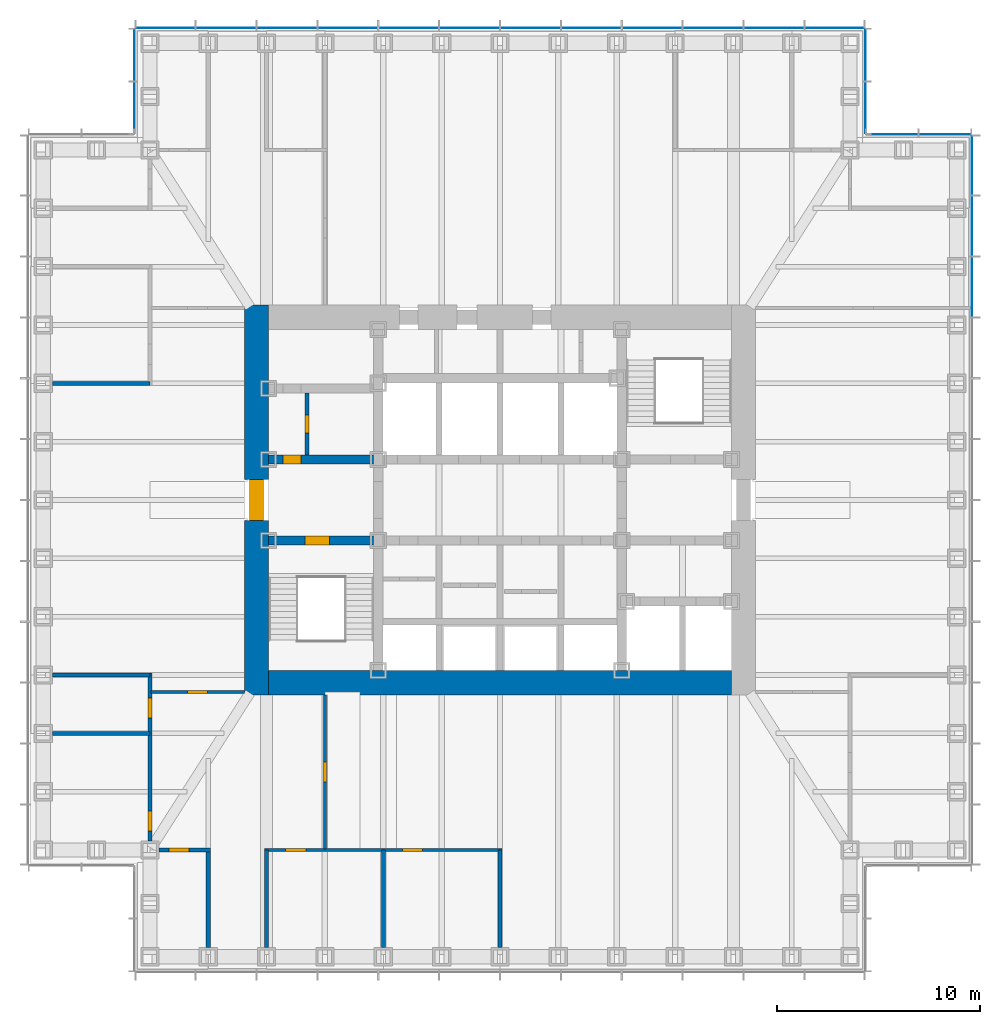
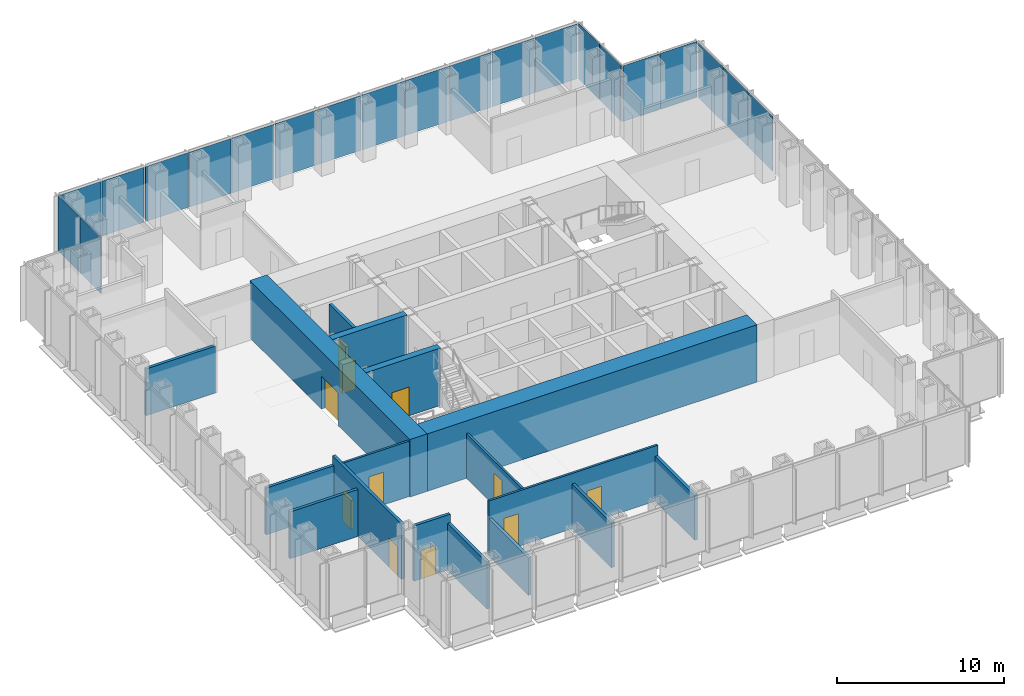
# One storey, part 8 of 17: 21 plates, 17 walls, 11 doors, 11 openings, 5 elements without a shape of their own.
"""IFC4 building model written with IfcOpenShell, lengths in metres."""

from ifc_helpers import new_model, si_unit, direction, frame, frame_2d, origin, origin_2d, place, context, subcontext, project, spatial, rectangle, extrude, material, layer, layer_set, type_object, element, fill, aggregate, save


model = new_model("IFC4")

# Units and contexts
model_context = context("Model", 3, precision=1e-05, world=origin(), true_north=direction((0.0, 1.0)))
body_context = subcontext(model_context, "Body", "Model", "MODEL_VIEW")
ifc_project = project(units=[si_unit("LENGTHUNIT", "METRE"), si_unit("AREAUNIT", "SQUARE_METRE"), si_unit("VOLUMEUNIT", "CUBIC_METRE"), si_unit("PLANEANGLEUNIT", "RADIAN"), si_unit("MASSUNIT", "GRAM", prefix="KILO")], contexts=[model_context])

# Site, building, storey
site_placement = place(None, origin())
site = spatial("IfcSite", under=ifc_project, at=site_placement, CompositionType="ELEMENT")
building_placement = place(site_placement, origin())
building = spatial("IfcBuilding", under=site, at=building_placement, Name="Daluyong Arena Tower", CompositionType="ELEMENT")
storey_placement = place(building_placement, frame((0.0, 0.0, 154.300048828125)))
storey = spatial("IfcBuildingStorey", under=building, at=storey_placement, Name="L34", CompositionType="ELEMENT", Elevation=154.300048828125)

# Curtain wall, plates
ifc_material_1 = material(Name="Bronze anodised aluminium and glass", Category="aluminium")
curtain_wall_type_1 = type_object("IfcCurtainWallType", Name="Curtain wall CW2", PredefinedType="USERDEFINED", material=ifc_material_1)
curtain_wall_1_placement = place(storey_placement, origin())
curtain_wall_1 = element("IfcCurtainWall", 1, at=curtain_wall_1_placement, inside=storey, type_object=curtain_wall_type_1, Name="curtain wall L34 E", ObjectType="UNITISED CURTAIN WALL", PredefinedType="USERDEFINED")
ifc_material_2 = material(Name="Tinted double glazed unit", Category="glass")
ifc_layer_1 = layer(ifc_material_2, 0.031982421875)
ifc_layer_set_1 = layer_set([ifc_layer_1], Name="Tinted double glazed unit")
plate_type_1 = type_object("IfcPlateType", Name="CW2 panel 32", PredefinedType="CURTAIN_PANEL", material=ifc_layer_set_1)
plate_1_placement = place(storey_placement, frame((79.25, 90.5, 0.0), z_axis=(0.0, 0.0, 1.0), x_axis=(0.0, 1.0, 0.0)))
plate_1 = element("IfcPlate", 2, at=plate_1_placement, type_object=plate_type_1, Name="curtain wall L34 E panel 10", PredefinedType="CURTAIN_PANEL", context=body_context, shape_type="SweptSolid", body=[
    extrude(rectangle(XDim=2.919921875, YDim=0.031982421875, at=origin_2d()), origin(), (0.0, 0.0, 1.0), 4.02001953125),
])
plate_2_placement = place(storey_placement, frame((79.25, 93.5, 0.0), z_axis=(0.0, 0.0, 1.0), x_axis=(0.0, 1.0, 0.0)))
plate_2 = element("IfcPlate", 3, at=plate_2_placement, type_object=plate_type_1, Name="curtain wall L34 E panel 11", PredefinedType="CURTAIN_PANEL", context=body_context, shape_type="SweptSolid", body=[
    extrude(rectangle(XDim=2.919921875, YDim=0.031982421875, at=origin_2d()), origin(), (0.0, 0.0, 1.0), 4.02001953125),
])
plate_3_placement = place(storey_placement, frame((79.25, 96.47998046875, 0.0), z_axis=(0.0, 0.0, 1.0), x_axis=(0.0, 1.0, 0.0)))
plate_3 = element("IfcPlate", 4, at=plate_3_placement, type_object=plate_type_1, Name="curtain wall L34 E panel 12", PredefinedType="CURTAIN_PANEL", context=body_context, shape_type="SweptSolid", body=[
    extrude(rectangle(XDim=2.8798828125, YDim=0.031982421875, at=origin_2d()), origin(), (0.0, 0.0, 1.0), 4.02001953125),
])
aggregate(curtain_wall_1, [plate_1, plate_2, plate_3])

curtain_wall_2_placement = place(storey_placement, origin())
curtain_wall_2 = element("IfcCurtainWall", 5, at=curtain_wall_2_placement, inside=storey, type_object=curtain_wall_type_1, Name="curtain wall L34 N", ObjectType="UNITISED CURTAIN WALL", PredefinedType="USERDEFINED")
plate_4_placement = place(storey_placement, frame((72.47998046875, 103.25, 0.0), z_axis=(0.0, 0.0, 1.0), x_axis=(-1.0, 0.0, 0.0)))
plate_4 = element("IfcPlate", 6, at=plate_4_placement, type_object=plate_type_1, Name="curtain wall L34 N panel 1", PredefinedType="CURTAIN_PANEL", context=body_context, shape_type="SweptSolid", body=[
    extrude(rectangle(XDim=2.8798828125, YDim=0.031982421875, at=origin_2d()), origin(), (0.0, 0.0, 1.0), 4.02001953125),
])
plate_5_placement = place(storey_placement, frame((69.5, 103.25, 0.0), z_axis=(0.0, 0.0, 1.0), x_axis=(-1.0, 0.0, 0.0)))
plate_5 = element("IfcPlate", 7, at=plate_5_placement, type_object=plate_type_1, Name="curtain wall L34 N panel 2", PredefinedType="CURTAIN_PANEL", context=body_context, shape_type="SweptSolid", body=[
    extrude(rectangle(XDim=2.919921875, YDim=0.031982421875, at=origin_2d()), origin(), (0.0, 0.0, 1.0), 4.02001953125),
])
plate_6_placement = place(storey_placement, frame((66.5, 103.25, 0.0), z_axis=(0.0, 0.0, 1.0), x_axis=(-1.0, 0.0, 0.0)))
plate_6 = element("IfcPlate", 8, at=plate_6_placement, type_object=plate_type_1, Name="curtain wall L34 N panel 3", PredefinedType="CURTAIN_PANEL", context=body_context, shape_type="SweptSolid", body=[
    extrude(rectangle(XDim=2.919921875, YDim=0.031982421875, at=origin_2d()), origin(), (0.0, 0.0, 1.0), 4.02001953125),
])
plate_7_placement = place(storey_placement, frame((63.5, 103.25, 0.0), z_axis=(0.0, 0.0, 1.0), x_axis=(-1.0, 0.0, 0.0)))
plate_7 = element("IfcPlate", 9, at=plate_7_placement, type_object=plate_type_1, Name="curtain wall L34 N panel 4", PredefinedType="CURTAIN_PANEL", context=body_context, shape_type="SweptSolid", body=[
    extrude(rectangle(XDim=2.919921875, YDim=0.031982421875, at=origin_2d()), origin(), (0.0, 0.0, 1.0), 4.02001953125),
])
plate_8_placement = place(storey_placement, frame((60.5, 103.25, 0.0), z_axis=(0.0, 0.0, 1.0), x_axis=(-1.0, 0.0, 0.0)))
plate_8 = element("IfcPlate", 10, at=plate_8_placement, type_object=plate_type_1, Name="curtain wall L34 N panel 5", PredefinedType="CURTAIN_PANEL", context=body_context, shape_type="SweptSolid", body=[
    extrude(rectangle(XDim=2.919921875, YDim=0.031982421875, at=origin_2d()), origin(), (0.0, 0.0, 1.0), 4.02001953125),
])
plate_9_placement = place(storey_placement, frame((57.5, 103.25, 0.0), z_axis=(0.0, 0.0, 1.0), x_axis=(-1.0, 0.0, 0.0)))
plate_9 = element("IfcPlate", 11, at=plate_9_placement, type_object=plate_type_1, Name="curtain wall L34 N panel 6", PredefinedType="CURTAIN_PANEL", context=body_context, shape_type="SweptSolid", body=[
    extrude(rectangle(XDim=2.919921875, YDim=0.031982421875, at=origin_2d()), origin(), (0.0, 0.0, 1.0), 4.02001953125),
])
plate_10_placement = place(storey_placement, frame((54.5, 103.25, 0.0), z_axis=(0.0, 0.0, 1.0), x_axis=(-1.0, 0.0, 0.0)))
plate_10 = element("IfcPlate", 12, at=plate_10_placement, type_object=plate_type_1, Name="curtain wall L34 N panel 7", PredefinedType="CURTAIN_PANEL", context=body_context, shape_type="SweptSolid", body=[
    extrude(rectangle(XDim=2.919921875, YDim=0.031982421875, at=origin_2d()), origin(), (0.0, 0.0, 1.0), 4.02001953125),
])
plate_11_placement = place(storey_placement, frame((51.5, 103.25, 0.0), z_axis=(0.0, 0.0, 1.0), x_axis=(-1.0, 0.0, 0.0)))
plate_11 = element("IfcPlate", 13, at=plate_11_placement, type_object=plate_type_1, Name="curtain wall L34 N panel 8", PredefinedType="CURTAIN_PANEL", context=body_context, shape_type="SweptSolid", body=[
    extrude(rectangle(XDim=2.919921875, YDim=0.031982421875, at=origin_2d()), origin(), (0.0, 0.0, 1.0), 4.02001953125),
])
plate_12_placement = place(storey_placement, frame((48.5, 103.25, 0.0), z_axis=(0.0, 0.0, 1.0), x_axis=(-1.0, 0.0, 0.0)))
plate_12 = element("IfcPlate", 14, at=plate_12_placement, type_object=plate_type_1, Name="curtain wall L34 N panel 9", PredefinedType="CURTAIN_PANEL", context=body_context, shape_type="SweptSolid", body=[
    extrude(rectangle(XDim=2.919921875, YDim=0.031982421875, at=origin_2d()), origin(), (0.0, 0.0, 1.0), 4.02001953125),
])
plate_13_placement = place(storey_placement, frame((45.5, 103.25, 0.0), z_axis=(0.0, 0.0, 1.0), x_axis=(-1.0, 0.0, 0.0)))
plate_13 = element("IfcPlate", 15, at=plate_13_placement, type_object=plate_type_1, Name="curtain wall L34 N panel 10", PredefinedType="CURTAIN_PANEL", context=body_context, shape_type="SweptSolid", body=[
    extrude(rectangle(XDim=2.919921875, YDim=0.031982421875, at=origin_2d()), origin(), (0.0, 0.0, 1.0), 4.02001953125),
])
plate_14_placement = place(storey_placement, frame((42.5, 103.25, 0.0), z_axis=(0.0, 0.0, 1.0), x_axis=(-1.0, 0.0, 0.0)))
plate_14 = element("IfcPlate", 16, at=plate_14_placement, type_object=plate_type_1, Name="curtain wall L34 N panel 11", PredefinedType="CURTAIN_PANEL", context=body_context, shape_type="SweptSolid", body=[
    extrude(rectangle(XDim=2.919921875, YDim=0.031982421875, at=origin_2d()), origin(), (0.0, 0.0, 1.0), 4.02001953125),
])
plate_15_placement = place(storey_placement, frame((39.52001953125, 103.25, 0.0), z_axis=(0.0, 0.0, 1.0), x_axis=(-1.0, 0.0, 0.0)))
plate_15 = element("IfcPlate", 17, at=plate_15_placement, type_object=plate_type_1, Name="curtain wall L34 N panel 12", PredefinedType="CURTAIN_PANEL", context=body_context, shape_type="SweptSolid", body=[
    extrude(rectangle(XDim=2.8798828125, YDim=0.031982421875, at=origin_2d()), origin(), (0.0, 0.0, 1.0), 4.02001953125),
])
aggregate(curtain_wall_2, [plate_4, plate_5, plate_6, plate_7, plate_8, plate_9, plate_10, plate_11, plate_12, plate_13, plate_14, plate_15])

ifc_material_3 = material(Name="Bronze anodised aluminium and glass", Category="aluminium")
curtain_wall_type_2 = type_object("IfcCurtainWallType", Name="Curtain wall CW7", PredefinedType="USERDEFINED", material=ifc_material_3)
curtain_wall_3_placement = place(storey_placement, origin())
curtain_wall_3 = element("IfcCurtainWall", 18, at=curtain_wall_3_placement, inside=storey, type_object=curtain_wall_type_2, Name="curtain wall L34 NE-N", ObjectType="UNITISED CURTAIN WALL", PredefinedType="USERDEFINED")
ifc_material_4 = material(Name="Tinted double glazed unit", Category="glass")
ifc_layer_2 = layer(ifc_material_4, 0.028076171875)
ifc_layer_set_2 = layer_set([ifc_layer_2], Name="Tinted double glazed unit")
plate_type_2 = type_object("IfcPlateType", Name="CW7 panel 28", PredefinedType="CURTAIN_PANEL", material=ifc_layer_set_2)
plate_16_placement = place(storey_placement, frame((77.922607421875, 98.0, 0.0), z_axis=(0.0, 0.0, 1.0), x_axis=(-1.0, 0.0, 0.0)))
plate_16 = element("IfcPlate", 19, at=plate_16_placement, type_object=plate_type_2, Name="curtain wall L34 NE-N panel 1", PredefinedType="CURTAIN_PANEL", context=body_context, shape_type="SweptSolid", body=[
    extrude(rectangle(XDim=2.534912109375, YDim=0.028076171875, at=origin_2d()), origin(), (0.0, 0.0, 1.0), 4.080078125),
])
plate_17_placement = place(storey_placement, frame((75.327392578125, 98.0, 0.0), z_axis=(0.0, 0.0, 1.0), x_axis=(-1.0, 0.0, 0.0)))
plate_17 = element("IfcPlate", 20, at=plate_17_placement, type_object=plate_type_2, Name="curtain wall L34 NE-N panel 2", PredefinedType="CURTAIN_PANEL", context=body_context, shape_type="SweptSolid", body=[
    extrude(rectangle(XDim=2.534912109375, YDim=0.028076171875, at=origin_2d()), origin(), (0.0, 0.0, 1.0), 4.080078125),
])
aggregate(curtain_wall_3, [plate_16, plate_17])

curtain_wall_4_placement = place(storey_placement, origin())
curtain_wall_4 = element("IfcCurtainWall", 21, at=curtain_wall_4_placement, inside=storey, type_object=curtain_wall_type_2, Name="curtain wall L34 NE-E", ObjectType="UNITISED CURTAIN WALL", PredefinedType="USERDEFINED")
plate_18_placement = place(storey_placement, frame((74.0, 99.327392578125, 0.0), z_axis=(0.0, 0.0, 1.0), x_axis=(0.0, 1.0, 0.0)))
plate_18 = element("IfcPlate", 22, at=plate_18_placement, type_object=plate_type_2, Name="curtain wall L34 NE-E panel 1", PredefinedType="CURTAIN_PANEL", context=body_context, shape_type="SweptSolid", body=[
    extrude(rectangle(XDim=2.534912109375, YDim=0.028076171875, at=origin_2d()), origin(), (0.0, 0.0, 1.0), 4.080078125),
])
plate_19_placement = place(storey_placement, frame((74.0, 101.922607421875, 0.0), z_axis=(0.0, 0.0, 1.0), x_axis=(0.0, 1.0, 0.0)))
plate_19 = element("IfcPlate", 23, at=plate_19_placement, type_object=plate_type_2, Name="curtain wall L34 NE-E panel 2", PredefinedType="CURTAIN_PANEL", context=body_context, shape_type="SweptSolid", body=[
    extrude(rectangle(XDim=2.534912109375, YDim=0.028076171875, at=origin_2d()), origin(), (0.0, 0.0, 1.0), 4.080078125),
])
aggregate(curtain_wall_4, [plate_18, plate_19])

curtain_wall_5_placement = place(storey_placement, origin())
curtain_wall_5 = element("IfcCurtainWall", 24, at=curtain_wall_5_placement, inside=storey, type_object=curtain_wall_type_2, Name="curtain wall L34 NW-W", ObjectType="UNITISED CURTAIN WALL", PredefinedType="USERDEFINED")
plate_20_placement = place(storey_placement, frame((38.0, 101.922607421875, 0.0), z_axis=(0.0, 0.0, 1.0), x_axis=(0.0, -1.0, 0.0)))
plate_20 = element("IfcPlate", 25, at=plate_20_placement, type_object=plate_type_2, Name="curtain wall L34 NW-W panel 1", PredefinedType="CURTAIN_PANEL", context=body_context, shape_type="SweptSolid", body=[
    extrude(rectangle(XDim=2.534912109375, YDim=0.028076171875, at=origin_2d()), origin(), (0.0, 0.0, 1.0), 4.080078125),
])
plate_21_placement = place(storey_placement, frame((38.0, 99.327392578125, 0.0), z_axis=(0.0, 0.0, 1.0), x_axis=(0.0, -1.0, 0.0)))
plate_21 = element("IfcPlate", 26, at=plate_21_placement, type_object=plate_type_2, Name="curtain wall L34 NW-W panel 2", PredefinedType="CURTAIN_PANEL", context=body_context, shape_type="SweptSolid", body=[
    extrude(rectangle(XDim=2.534912109375, YDim=0.028076171875, at=origin_2d()), origin(), (0.0, 0.0, 1.0), 4.080078125),
])
aggregate(curtain_wall_5, [plate_20, plate_21])

# Wall, opening, door
ifc_material_5 = material(Name="Concrete fc' 45 MPa", Category="concrete")
ifc_layer_3 = layer(ifc_material_5, 0.449951171875)
ifc_layer_set_3 = layer_set([ifc_layer_3], Name="Concrete fc' 45 MPa")
wall_type_1 = type_object("IfcWallType", Name="Core inner wall 450", PredefinedType="SHEAR", material=ifc_layer_set_3)
wall_1_placement = place(storey_placement, frame((44.60009765625, 78.0, 0.0), z_axis=(0.0, 0.0, 1.0), x_axis=(1.0, 0.0, 0.0)))
wall_1 = element("IfcWall", 27, at=wall_1_placement, inside=storey, type_object=wall_type_1, Name="core inner wall at L34", PredefinedType="SHEAR", context=body_context, shape_type="SweptSolid", body=[
    extrude(rectangle(XDim=5.1748046875, YDim=0.449951171875, at=frame_2d((2.58740234375, 0.0))), origin(), (0.0, 0.0, 1.0), 4.199951171875),
])
opening_1_placement = place(wall_1_placement, frame((1.800048828125, 0.0, 0.0)))
opening_1 = element("IfcOpeningElement", 28, at=opening_1_placement, cuts=wall_1, Name="Opening 34015", PredefinedType="OPENING", context=body_context, shape_type="SweptSolid", body=[
    extrude(rectangle(XDim=1.199951171875, YDim=2.10009765625, at=frame_2d((0.60009765625, 1.050048828125))), frame((0.0, 0.23486328125, 0.0), z_axis=(0.0, -1.0, 0.0), x_axis=(1.0, 0.0, 0.0)), (0.0, 0.0, 1.0), 0.469970703125),
])
ifc_material_6 = material(Name="Steel door, fire rated", Category="steel")
door_type_1 = type_object("IfcDoorType", Name="Stair door 1200", OperationType="SINGLE_SWING_LEFT", PredefinedType="DOOR", material=ifc_material_6)
door_1_placement = place(opening_1_placement, origin())
door_1 = element("IfcDoor", 29, at=door_1_placement, inside=storey, type_object=door_type_1, Name="stair A door 34015", OperationType="SINGLE_SWING_LEFT", OverallHeight=2.10009765625, OverallWidth=1.199951171875, PredefinedType="DOOR", context=body_context, shape_type="SweptSolid", body=[
    extrude(rectangle(XDim=1.199951171875, YDim=2.10009765625, at=frame_2d((0.60009765625, 1.050048828125))), frame((0.0, 0.224609375, 0.0), z_axis=(0.0, -1.0, 0.0), x_axis=(1.0, 0.0, 0.0)), (0.0, 0.0, 1.0), 0.449462890625),
])
fill(opening_1, door_1)

wall_2_placement = place(storey_placement, frame((44.60009765625, 82.0, 0.0), z_axis=(0.0, 0.0, 1.0), x_axis=(1.0, 0.0, 0.0)))
wall_2 = element("IfcWall", 30, at=wall_2_placement, inside=storey, type_object=wall_type_1, Name="core inner wall at L34", PredefinedType="SHEAR", context=body_context, shape_type="SweptSolid", body=[
    extrude(rectangle(XDim=5.1748046875, YDim=0.449951171875, at=frame_2d((2.58740234375, 0.0))), origin(), (0.0, 0.0, 1.0), 4.199951171875),
])
opening_2_placement = place(wall_2_placement, frame((0.699951171875, 0.0, 0.0)))
opening_2 = element("IfcOpeningElement", 31, at=opening_2_placement, cuts=wall_2, Name="Opening 34001", PredefinedType="OPENING", context=body_context, shape_type="SweptSolid", body=[
    extrude(rectangle(XDim=0.89990234375, YDim=2.10009765625, at=frame_2d((0.449951171875, 1.050048828125))), frame((0.0, 0.23486328125, 0.0), z_axis=(0.0, -1.0, 0.0), x_axis=(1.0, 0.0, 0.0)), (0.0, 0.0, 1.0), 0.469970703125),
])
ifc_material_7 = material(Name="Steel door, fire rated", Category="steel")
door_type_2 = type_object("IfcDoorType", Name="Core room door 900", OperationType="SINGLE_SWING_LEFT", PredefinedType="DOOR", material=ifc_material_7)
door_2_placement = place(opening_2_placement, origin())
door_2 = element("IfcDoor", 32, at=door_2_placement, inside=storey, type_object=door_type_2, Name="toilet lobby door 34001", OperationType="SINGLE_SWING_LEFT", OverallHeight=2.10009765625, OverallWidth=0.89990234375, PredefinedType="DOOR", context=body_context, shape_type="SweptSolid", body=[
    extrude(rectangle(XDim=0.89990234375, YDim=2.10009765625, at=frame_2d((0.449951171875, 1.050048828125))), frame((0.0, 0.224609375, 0.0), z_axis=(0.0, -1.0, 0.0), x_axis=(1.0, 0.0, 0.0)), (0.0, 0.0, 1.0), 0.449462890625),
])
fill(opening_2, door_2)

ifc_material_8 = material(Name="Concrete fc' 60 MPa", Category="concrete")
ifc_layer_4 = layer(ifc_material_8, 1.199951171875)
ifc_layer_set_4 = layer_set([ifc_layer_4], Name="Concrete fc' 60 MPa")
wall_type_2 = type_object("IfcWallType", Name="Core wall 1200", PredefinedType="SHEAR", material=ifc_layer_set_4)
wall_3_placement = place(storey_placement, frame((44.0, 70.39990234375, 0.0), z_axis=(0.0, 0.0, 1.0), x_axis=(0.0, 1.0, 0.0)))
wall_3 = element("IfcWall", 33, at=wall_3_placement, inside=storey, type_object=wall_type_2, Name="core wall at L34", PredefinedType="SHEAR", context=body_context, shape_type="SweptSolid", body=[
    extrude(rectangle(XDim=19.2001953125, YDim=1.199951171875, at=frame_2d((9.60009765625, 0.0))), origin(), (0.0, 0.0, 1.0), 4.199951171875),
])
opening_3_placement = place(wall_3_placement, frame((8.60009765625, 0.0, 0.0)))
opening_3 = element("IfcOpeningElement", 34, at=opening_3_placement, cuts=wall_3, Name="Opening 34017", PredefinedType="OPENING", context=body_context, shape_type="SweptSolid", body=[
    extrude(rectangle(XDim=2.0, YDim=2.39990234375, at=frame_2d((1.0, 1.199951171875))), frame((0.0, 0.60986328125, 0.0), z_axis=(0.0, -1.0, 0.0), x_axis=(1.0, 0.0, 0.0)), (0.0, 0.0, 1.0), 1.219970703125),
])
ifc_material_9 = material(Name="Steel door, fire rated", Category="steel")
door_type_3 = type_object("IfcDoorType", Name="Core lobby double door 2000", OperationType="DOUBLE_DOOR_SINGLE_SWING", PredefinedType="DOOR", material=ifc_material_9)
door_3_placement = place(opening_3_placement, origin())
door_3 = element("IfcDoor", 35, at=door_3_placement, inside=storey, type_object=door_type_3, Name="core lobby door west 34017", OperationType="DOUBLE_DOOR_SINGLE_SWING", OverallHeight=2.39990234375, OverallWidth=2.0, PredefinedType="DOOR", context=body_context, shape_type="SweptSolid", body=[
    extrude(rectangle(XDim=2.0, YDim=2.39990234375, at=frame_2d((1.0, 1.199951171875))), frame((0.0, 0.35009765625, 0.0), z_axis=(0.0, -1.0, 0.0), x_axis=(1.0, 0.0, 0.0)), (0.0, 0.0, 1.0), 0.699951171875),
])
fill(opening_3, door_3)

# Wall
wall_4_placement = place(storey_placement, frame((44.60009765625, 71.0, 0.0), z_axis=(0.0, 0.0, 1.0), x_axis=(1.0, 0.0, 0.0)))
element("IfcWall", 36, at=wall_4_placement, inside=storey, type_object=wall_type_2, Name="core wall at L34", PredefinedType="SHEAR", context=body_context, shape_type="SweptSolid", body=[
    extrude(rectangle(XDim=22.7998046875, YDim=1.199951171875, at=frame_2d((11.39990234375, 0.0))), origin(), (0.0, 0.0, 1.0), 4.199951171875),
])

# Wall, opening, door
ifc_material_10 = material(Name="Concrete block partition, fire rated", Category="concrete")
ifc_layer_5 = layer(ifc_material_10, 0.199951171875)
ifc_layer_set_5 = layer_set([ifc_layer_5], Name="Concrete block partition, fire rated")
wall_type_3 = type_object("IfcWallType", Name="Fire-rated partition 200", PredefinedType="PARTITIONING", material=ifc_layer_set_5)
wall_5_placement = place(storey_placement, frame((46.5, 82.22509765625, 0.0), z_axis=(0.0, 0.0, 1.0), x_axis=(0.0, 1.0, 0.0)))
wall_5 = element("IfcWall", 37, at=wall_5_placement, inside=storey, type_object=wall_type_3, Name="toilet lobby partition at L34", PredefinedType="PARTITIONING", context=body_context, shape_type="SweptSolid", body=[
    extrude(rectangle(XDim=3.0498046875, YDim=0.199951171875, at=frame_2d((1.52490234375, 0.0))), origin(), (0.0, 0.0, 1.0), 4.0400390625),
])
opening_4_placement = place(wall_5_placement, frame((1.074951171875, 0.0, 0.0)))
opening_4 = element("IfcOpeningElement", 38, at=opening_4_placement, cuts=wall_5, Name="Opening 34002", PredefinedType="OPENING", context=body_context, shape_type="SweptSolid", body=[
    extrude(rectangle(XDim=0.89990234375, YDim=2.10009765625, at=frame_2d((0.449951171875, 1.050048828125))), frame((0.0, 0.10986328125, 0.0), z_axis=(0.0, -1.0, 0.0), x_axis=(1.0, 0.0, 0.0)), (0.0, 0.0, 1.0), 0.219970703125),
])
ifc_material_11 = material(Name="Timber door", Category="wood")
door_type_4 = type_object("IfcDoorType", Name="Toilet door 900", OperationType="SINGLE_SWING_RIGHT", PredefinedType="DOOR", material=ifc_material_11)
door_4_placement = place(opening_4_placement, origin())
door_4 = element("IfcDoor", 39, at=door_4_placement, inside=storey, type_object=door_type_4, Name="male toilet door 34002", OperationType="SINGLE_SWING_RIGHT", OverallHeight=2.10009765625, OverallWidth=0.89990234375, PredefinedType="DOOR", context=body_context, shape_type="SweptSolid", body=[
    extrude(rectangle(XDim=0.89990234375, YDim=2.10009765625, at=frame_2d((0.449951171875, 1.050048828125))), frame((0.0, 0.099609375, 0.0), z_axis=(0.0, -1.0, 0.0), x_axis=(1.0, 0.0, 0.0)), (0.0, 0.0, 1.0), 0.199462890625),
])
fill(opening_4, door_4)

# Wall, openings, doors
ifc_material_12 = material(Name="Glazed aluminium partition", Category="aluminium")
ifc_layer_6 = layer(ifc_material_12, 0.14990234375)
ifc_layer_set_6 = layer_set([ifc_layer_6], Name="Glazed aluminium partition")
wall_type_4 = type_object("IfcWallType", Name="Glazed partition 150", PredefinedType="PARTITIONING", material=ifc_layer_set_6)
wall_6_placement = place(storey_placement, frame((44.39990234375, 62.75, 0.0), z_axis=(0.0, 0.0, 1.0), x_axis=(1.0, 0.0, 0.0)))
wall_6 = element("IfcWall", 40, at=wall_6_placement, inside=storey, type_object=wall_type_4, Name="glazed partition at L34", PredefinedType="PARTITIONING", context=body_context, shape_type="SweptSolid", body=[
    extrude(rectangle(XDim=11.7001953125, YDim=0.14990234375, at=frame_2d((5.85009765625, 0.0))), origin(), (0.0, 0.0, 1.0), 4.0400390625),
])
opening_5_placement = place(wall_6_placement, frame((1.03759765625, 0.0, 0.0)))
opening_5 = element("IfcOpeningElement", 41, at=opening_5_placement, cuts=wall_6, Name="Opening 34029", PredefinedType="OPENING", context=body_context, shape_type="SweptSolid", body=[
    extrude(rectangle(XDim=1.0, YDim=2.39990234375, at=frame_2d((0.5, 1.199951171875))), frame((0.0, 0.0849609375, 0.0), z_axis=(0.0, -1.0, 0.0), x_axis=(1.0, 0.0, 0.0)), (0.0, 0.0, 1.0), 0.169921875),
])
opening_6_placement = place(wall_6_placement, frame((6.78759765625, 0.0, 0.0)))
opening_6 = element("IfcOpeningElement", 42, at=opening_6_placement, cuts=wall_6, Name="Opening 34030", PredefinedType="OPENING", context=body_context, shape_type="SweptSolid", body=[
    extrude(rectangle(XDim=1.0, YDim=2.39990234375, at=frame_2d((0.5, 1.199951171875))), frame((0.0, 0.0849609375, 0.0), z_axis=(0.0, -1.0, 0.0), x_axis=(1.0, 0.0, 0.0)), (0.0, 0.0, 1.0), 0.169921875),
])
ifc_material_13 = material(Name="Glazed aluminium door", Category="aluminium")
door_type_5 = type_object("IfcDoorType", Name="Meeting room glazed door 1000", OperationType="SINGLE_SWING_RIGHT", PredefinedType="DOOR", material=ifc_material_13)
door_5_placement = place(opening_5_placement, origin())
door_5 = element("IfcDoor", 43, at=door_5_placement, inside=storey, type_object=door_type_5, Name="meeting room door 34029", OperationType="SINGLE_SWING_RIGHT", OverallHeight=2.39990234375, OverallWidth=1.0, PredefinedType="DOOR", context=body_context, shape_type="SweptSolid", body=[
    extrude(rectangle(XDim=1.0, YDim=2.39990234375, at=frame_2d((0.5, 1.199951171875))), frame((0.0, 0.07470703125, 0.0), z_axis=(0.0, -1.0, 0.0), x_axis=(1.0, 0.0, 0.0)), (0.0, 0.0, 1.0), 0.1494140625),
])
fill(opening_5, door_5)
door_6_placement = place(opening_6_placement, origin())
door_6 = element("IfcDoor", 44, at=door_6_placement, inside=storey, type_object=door_type_5, Name="meeting room door 34030", OperationType="SINGLE_SWING_RIGHT", OverallHeight=2.39990234375, OverallWidth=1.0, PredefinedType="DOOR", context=body_context, shape_type="SweptSolid", body=[
    extrude(rectangle(XDim=1.0, YDim=2.39990234375, at=frame_2d((0.5, 1.199951171875))), frame((0.0, 0.07470703125, 0.0), z_axis=(0.0, -1.0, 0.0), x_axis=(1.0, 0.0, 0.0)), (0.0, 0.0, 1.0), 0.1494140625),
])
fill(opening_6, door_6)

# Wall, opening, door
wall_7_placement = place(storey_placement, frame((38.800048828125, 70.550048828125, 0.0), z_axis=(0.0, 0.0, 1.0), x_axis=(1.0, 0.0, 0.0)))
wall_7 = element("IfcWall", 45, at=wall_7_placement, inside=storey, type_object=wall_type_4, Name="glazed partition at L34", PredefinedType="PARTITIONING", context=body_context, shape_type="SweptSolid", body=[
    extrude(rectangle(XDim=4.599853515625, YDim=0.14990234375, at=frame_2d((2.2998046875, 0.0))), origin(), (0.0, 0.0, 1.0), 4.0400390625),
])
opening_7_placement = place(wall_7_placement, frame((1.800048828125, 0.0, 0.0)))
opening_7 = element("IfcOpeningElement", 46, at=opening_7_placement, cuts=wall_7, Name="Opening 34041", PredefinedType="OPENING", context=body_context, shape_type="SweptSolid", body=[
    extrude(rectangle(XDim=1.0, YDim=2.39990234375, at=frame_2d((0.5, 1.199951171875))), frame((0.0, 0.0849609375, 0.0), z_axis=(0.0, -1.0, 0.0), x_axis=(1.0, 0.0, 0.0)), (0.0, 0.0, 1.0), 0.169921875),
])
door_7_placement = place(opening_7_placement, origin())
door_7 = element("IfcDoor", 47, at=door_7_placement, inside=storey, type_object=door_type_5, Name="team area screen door 34041", OperationType="SINGLE_SWING_RIGHT", OverallHeight=2.39990234375, OverallWidth=1.0, PredefinedType="DOOR", context=body_context, shape_type="SweptSolid", body=[
    extrude(rectangle(XDim=1.0, YDim=2.39990234375, at=frame_2d((0.5, 1.199951171875))), frame((0.0, 0.07470703125, 0.0), z_axis=(0.0, -1.0, 0.0), x_axis=(1.0, 0.0, 0.0)), (0.0, 0.0, 1.0), 0.1494140625),
])
fill(opening_7, door_7)

wall_8_placement = place(storey_placement, frame((47.375, 62.800048828125, 0.0), z_axis=(0.0, 0.0, 1.0), x_axis=(0.0, 1.0, 0.0)))
wall_8 = element("IfcWall", 48, at=wall_8_placement, inside=storey, type_object=wall_type_4, Name="glazed partition at L34", PredefinedType="PARTITIONING", context=body_context, shape_type="SweptSolid", body=[
    extrude(rectangle(XDim=7.599853515625, YDim=0.14990234375, at=frame_2d((3.7998046875, 0.0))), origin(), (0.0, 0.0, 1.0), 3.27783203125),
])
opening_8_placement = place(wall_8_placement, frame((3.300048828125, 0.0, 0.0)))
opening_8 = element("IfcOpeningElement", 49, at=opening_8_placement, cuts=wall_8, Name="Opening 34045", PredefinedType="OPENING", context=body_context, shape_type="SweptSolid", body=[
    extrude(rectangle(XDim=1.0, YDim=2.39990234375, at=frame_2d((0.5, 1.199951171875))), frame((0.0, 0.0849609375, 0.0), z_axis=(0.0, -1.0, 0.0), x_axis=(1.0, 0.0, 0.0)), (0.0, 0.0, 1.0), 0.169921875),
])
door_8_placement = place(opening_8_placement, origin())
door_8 = element("IfcDoor", 50, at=door_8_placement, inside=storey, type_object=door_type_5, Name="team area screen door 34045", OperationType="SINGLE_SWING_RIGHT", OverallHeight=2.39990234375, OverallWidth=1.0, PredefinedType="DOOR", context=body_context, shape_type="SweptSolid", body=[
    extrude(rectangle(XDim=1.0, YDim=2.39990234375, at=frame_2d((0.5, 1.199951171875))), frame((0.0, 0.07470703125, 0.0), z_axis=(0.0, -1.0, 0.0), x_axis=(1.0, 0.0, 0.0)), (0.0, 0.0, 1.0), 0.1494140625),
])
fill(opening_8, door_8)

# Walls
ifc_material_14 = material(Name="Concrete block partition", Category="concrete")
ifc_layer_7 = layer(ifc_material_14, 0.199951171875)
ifc_layer_set_7 = layer_set([ifc_layer_7], Name="Concrete block partition")
wall_type_5 = type_object("IfcWallType", Name="Partition 200", PredefinedType="PARTITIONING", material=ifc_layer_set_7)
wall_9_placement = place(storey_placement, frame((41.625, 57.949951171875, 0.0), z_axis=(0.0, 0.0, 1.0), x_axis=(0.0, 1.0, 0.0)))
element("IfcWall", 51, at=wall_9_placement, inside=storey, type_object=wall_type_5, Name="partition at L34", PredefinedType="PARTITIONING", context=body_context, shape_type="SweptSolid", body=[
    extrude(rectangle(XDim=4.800048828125, YDim=0.199951171875, at=frame_2d((2.39990234375, 0.0))), origin(), (0.0, 0.0, 1.0), 3.427734375),
])
wall_10_placement = place(storey_placement, frame((44.5, 57.949951171875, 0.0), z_axis=(0.0, 0.0, 1.0), x_axis=(0.0, 1.0, 0.0)))
element("IfcWall", 52, at=wall_10_placement, inside=storey, type_object=wall_type_5, Name="partition at L34", PredefinedType="PARTITIONING", context=body_context, shape_type="SweptSolid", body=[
    extrude(rectangle(XDim=4.800048828125, YDim=0.199951171875, at=frame_2d((2.39990234375, 0.0))), origin(), (0.0, 0.0, 1.0), 2.739990234375),
])
for number, where, z_axis, x_axis, name in (
    (53, (50.25, 57.949951171875, 0.0), (0.0, 0.0, 1.0), (0.0, 1.0, 0.0), "partition at L34"),
    (54, (56.0, 57.949951171875, 0.0), (0.0, 0.0, 1.0), (0.0, 1.0, 0.0), "partition at L34"),
):
    element("IfcWall", number, at=place(storey_placement, frame(where, z_axis=z_axis, x_axis=x_axis)), inside=storey, type_object=wall_type_5, Name=name, PredefinedType="PARTITIONING", context=body_context, shape_type="SweptSolid", body=[
        extrude(rectangle(XDim=4.800048828125, YDim=0.199951171875, at=frame_2d((2.39990234375, 0.0))), origin(), (0.0, 0.0, 1.0), 3.27783203125),
    ])
for number, where, z_axis, x_axis, name in (
    (55, (33.949951171875, 68.5, 0.0), (0.0, 0.0, 1.0), (1.0, 0.0, 0.0), "partition at L34"),
    (56, (33.949951171875, 71.375, 0.0), (0.0, 0.0, 1.0), (1.0, 0.0, 0.0), "partition at L34"),
    (57, (33.949951171875, 85.75, 0.0), (0.0, 0.0, 1.0), (1.0, 0.0, 0.0), "partition at L34"),
):
    element("IfcWall", number, at=place(storey_placement, frame(where, z_axis=z_axis, x_axis=x_axis)), inside=storey, type_object=wall_type_5, Name=name, PredefinedType="PARTITIONING", context=body_context, shape_type="SweptSolid", body=[
        extrude(rectangle(XDim=4.800048828125, YDim=0.199951171875, at=frame_2d((2.39990234375, 0.0))), origin(), (0.0, 0.0, 1.0), 3.427734375),
    ])

# Wall, opening, door
wall_11_placement = place(storey_placement, frame((39.199951171875, 62.75, 0.0), z_axis=(0.0, 0.0, 1.0), x_axis=(1.0, 0.0, 0.0)))
wall_11 = element("IfcWall", 58, at=wall_11_placement, inside=storey, type_object=wall_type_5, Name="partition at L34", PredefinedType="PARTITIONING", context=body_context, shape_type="SweptSolid", body=[
    extrude(rectangle(XDim=2.525146484375, YDim=0.199951171875, at=frame_2d((1.2626953125, 0.0))), origin(), (0.0, 0.0, 1.0), 4.0400390625),
])
opening_9_placement = place(wall_11_placement, frame((0.487548828125, 0.0, 0.0)))
opening_9 = element("IfcOpeningElement", 59, at=opening_9_placement, cuts=wall_11, Name="Opening 34028", PredefinedType="OPENING", context=body_context, shape_type="SweptSolid", body=[
    extrude(rectangle(XDim=1.0, YDim=2.10009765625, at=frame_2d((0.5, 1.050048828125))), frame((0.0, 0.10986328125, 0.0), z_axis=(0.0, -1.0, 0.0), x_axis=(1.0, 0.0, 0.0)), (0.0, 0.0, 1.0), 0.219970703125),
])
ifc_material_15 = material(Name="Timber door", Category="wood")
door_type_6 = type_object("IfcDoorType", Name="Room door 1000", OperationType="SINGLE_SWING_LEFT", PredefinedType="DOOR", material=ifc_material_15)
door_9_placement = place(opening_9_placement, origin())
door_9 = element("IfcDoor", 60, at=door_9_placement, inside=storey, type_object=door_type_6, Name="quiet room door 34028", OperationType="SINGLE_SWING_LEFT", OverallHeight=2.10009765625, OverallWidth=1.0, PredefinedType="DOOR", context=body_context, shape_type="SweptSolid", body=[
    extrude(rectangle(XDim=1.0, YDim=2.10009765625, at=frame_2d((0.5, 1.050048828125))), frame((0.0, 0.099609375, 0.0), z_axis=(0.0, -1.0, 0.0), x_axis=(1.0, 0.0, 0.0)), (0.0, 0.0, 1.0), 0.199462890625),
])
fill(opening_9, door_9)

# Wall, openings, doors
wall_12_placement = place(storey_placement, frame((38.75, 63.199951171875, 0.0), z_axis=(0.0, 0.0, 1.0), x_axis=(0.0, 1.0, 0.0)))
wall_12 = element("IfcWall", 61, at=wall_12_placement, inside=storey, type_object=wall_type_5, Name="partition at L34", PredefinedType="PARTITIONING", context=body_context, shape_type="SweptSolid", body=[
    extrude(rectangle(XDim=8.275146484375, YDim=0.199951171875, at=frame_2d((4.1376953125, 0.0))), origin(), (0.0, 0.0, 1.0), 4.0400390625),
])
opening_10_placement = place(wall_12_placement, frame((0.487548828125, 0.0, 0.0)))
opening_10 = element("IfcOpeningElement", 62, at=opening_10_placement, cuts=wall_12, Name="Opening 34037", PredefinedType="OPENING", context=body_context, shape_type="SweptSolid", body=[
    extrude(rectangle(XDim=1.0, YDim=2.10009765625, at=frame_2d((0.5, 1.050048828125))), frame((0.0, 0.10986328125, 0.0), z_axis=(0.0, -1.0, 0.0), x_axis=(1.0, 0.0, 0.0)), (0.0, 0.0, 1.0), 0.219970703125),
])
opening_11_placement = place(wall_12_placement, frame((6.050048828125, 0.0, 0.0)))
opening_11 = element("IfcOpeningElement", 63, at=opening_11_placement, cuts=wall_12, Name="Opening 34038", PredefinedType="OPENING", context=body_context, shape_type="SweptSolid", body=[
    extrude(rectangle(XDim=1.0, YDim=2.10009765625, at=frame_2d((0.5, 1.050048828125))), frame((0.0, 0.10986328125, 0.0), z_axis=(0.0, -1.0, 0.0), x_axis=(1.0, 0.0, 0.0)), (0.0, 0.0, 1.0), 0.219970703125),
])
door_10_placement = place(opening_10_placement, origin())
door_10 = element("IfcDoor", 64, at=door_10_placement, inside=storey, type_object=door_type_6, Name="pantry door 34037", OperationType="SINGLE_SWING_LEFT", OverallHeight=2.10009765625, OverallWidth=1.0, PredefinedType="DOOR", context=body_context, shape_type="SweptSolid", body=[
    extrude(rectangle(XDim=1.0, YDim=2.10009765625, at=frame_2d((0.5, 1.050048828125))), frame((0.0, 0.099609375, 0.0), z_axis=(0.0, -1.0, 0.0), x_axis=(1.0, 0.0, 0.0)), (0.0, 0.0, 1.0), 0.199462890625),
])
fill(opening_10, door_10)
door_11_placement = place(opening_11_placement, origin())
door_11 = element("IfcDoor", 65, at=door_11_placement, inside=storey, type_object=door_type_6, Name="wellness room door 34038", OperationType="SINGLE_SWING_LEFT", OverallHeight=2.10009765625, OverallWidth=1.0, PredefinedType="DOOR", context=body_context, shape_type="SweptSolid", body=[
    extrude(rectangle(XDim=1.0, YDim=2.10009765625, at=frame_2d((0.5, 1.050048828125))), frame((0.0, 0.099609375, 0.0), z_axis=(0.0, -1.0, 0.0), x_axis=(1.0, 0.0, 0.0)), (0.0, 0.0, 1.0), 0.199462890625),
])
fill(opening_11, door_11)

save(model, "model.ifc")
